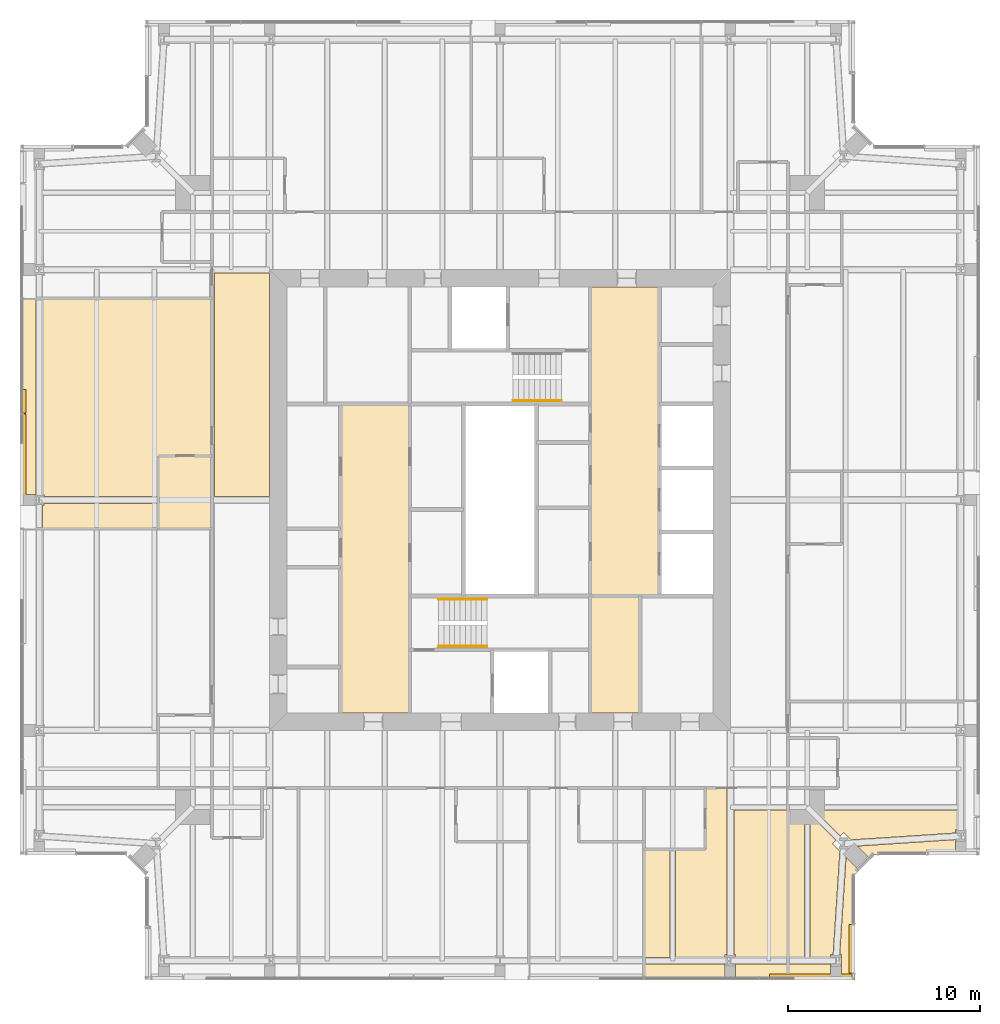
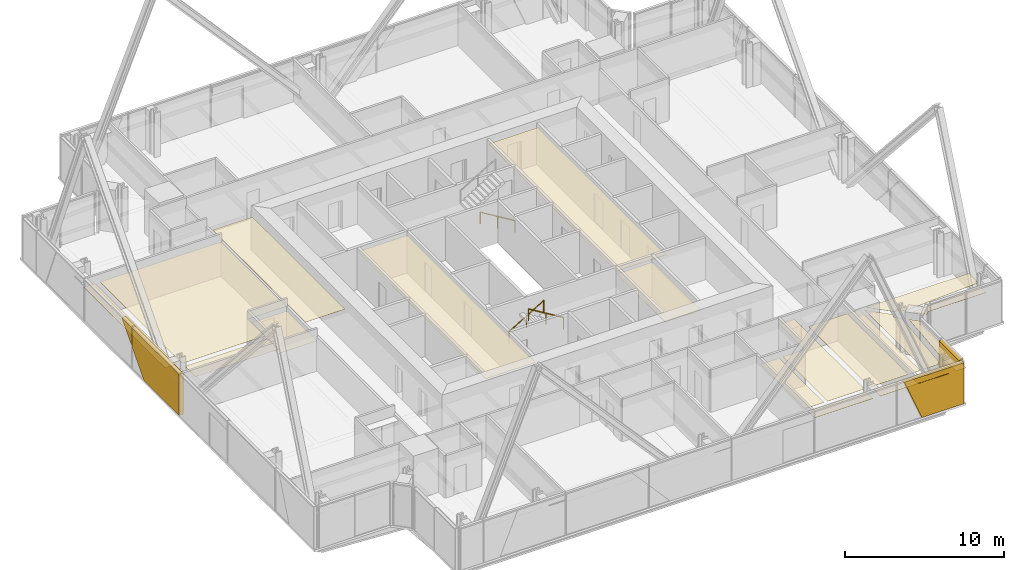
# One storey, part 16 of 19: 23 coverings, 3 railings.
"""IFC4 building model written with IfcOpenShell, lengths in metres."""

from ifc_helpers import new_model, si_unit, direction, frame, origin, origin_2d, place, context, subcontext, project, spatial, polyline, circle, outline, extrude, material, layer, layer_set, type_object, element, save


model = new_model("IFC4")

# Units and contexts
model_context = context("Model", 3, precision=1e-05, world=origin(), true_north=direction((0.0, 1.0)))
body_context = subcontext(model_context, "Body", "Model", "MODEL_VIEW")
ifc_project = project(units=[si_unit("LENGTHUNIT", "METRE"), si_unit("AREAUNIT", "SQUARE_METRE"), si_unit("VOLUMEUNIT", "CUBIC_METRE"), si_unit("PLANEANGLEUNIT", "RADIAN"), si_unit("MASSUNIT", "GRAM", prefix="KILO")], contexts=[model_context])

# Site, building, storey
site_placement = place(None, origin())
site = spatial("IfcSite", under=ifc_project, at=site_placement, CompositionType="ELEMENT")
building_placement = place(site_placement, origin())
building = spatial("IfcBuilding", under=site, at=building_placement, Name="Fenwick Lantern Interchange", CompositionType="ELEMENT")
storey_placement = place(building_placement, frame((0.0, 0.0, 283.199951171875)))
storey = spatial("IfcBuildingStorey", under=building, at=storey_placement, Name="L68", CompositionType="ELEMENT", Elevation=283.199951171875)

# Coverings
ifc_material_1 = material(Name="Granite cladding, warm grey flamed finish, on aluminium carrier frame", Category="masonry")
ifc_layer_1 = layer(ifc_material_1, 0.300048828125)
ifc_layer_set_1 = layer_set([ifc_layer_1], Name="BRACE CASING PANEL 300")
covering_type_1 = type_object("IfcCoveringType", Name="BRACE CASING PANEL 300", PredefinedType="CLADDING", material=ifc_layer_set_1)
covering_1_placement = place(storey_placement, frame((6.60009765625, 0.10009765625, 0.0), z_axis=(0.0, 0.0, 1.0), x_axis=(1.0, 0.0, 0.0)))
element("IfcCovering", 1, at=covering_1_placement, inside=storey, type_object=covering_type_1, Name="Brace casing 01 bay 06a", PredefinedType="CLADDING", context=body_context, shape_type="SweptSolid", body=[
    extrude(outline(polyline([(33.708984375, 0.0), (36.739990234375, 0.0), (36.739990234375, 3.150146484375), (32.424072265625, 3.150146484375), (33.708984375, 0.0)])), frame((0.0, 0.2099609375, 0.0), z_axis=(0.0, -1.0, 0.0), x_axis=(1.0, 0.0, 0.0)), (0.0, 0.0, 1.0), 0.300048828125),
])
covering_2_placement = place(storey_placement, frame((43.39990234375, 0.10009765625, 0.0), z_axis=(0.0, 0.0, 1.0), x_axis=(0.0, 1.0, 0.0)))
element("IfcCovering", 2, at=covering_2_placement, inside=storey, type_object=covering_type_1, Name="Brace casing 02 bay 00a", PredefinedType="CLADDING", context=body_context, shape_type="SweptSolid", body=[
    extrude(outline(polyline([(0.260009765625, 0.0), (2.790771484375, 0.0), (2.790771484375, 3.150146484375), (0.260009765625, 3.150146484375), (0.260009765625, 0.0)])), frame((0.0, 0.2099609375, 0.0), z_axis=(0.0, -1.0, 0.0), x_axis=(1.0, 0.0, 0.0)), (0.0, 0.0, 1.0), 0.300048828125),
])
covering_3_placement = place(storey_placement, frame((0.10009765625, 43.39990234375, 1.77685546875), z_axis=(0.0, 0.0, 1.0), x_axis=(0.0, -1.0, 0.0)))
element("IfcCovering", 3, at=covering_3_placement, inside=storey, type_object=covering_type_1, Name="Brace casing 13 bay 02a", PredefinedType="CLADDING", context=body_context, shape_type="SweptSolid", body=[
    extrude(outline(polyline([(13.8701171875, 0.0), (13.8701171875, 1.373291015625), (12.648193359375, 1.373291015625), (13.8701171875, 0.0)])), frame((0.0, 0.2099609375, 0.0), z_axis=(0.0, -1.0, 0.0), x_axis=(1.0, 0.0, 0.0)), (0.0, 0.0, 1.0), 0.300048828125),
])
covering_4_placement = place(storey_placement, frame((0.10009765625, 43.39990234375, 0.0), z_axis=(0.0, 0.0, 1.0), x_axis=(0.0, -1.0, 0.0)))
element("IfcCovering", 4, at=covering_4_placement, inside=storey, type_object=covering_type_1, Name="Brace casing 13 bay 03a", PredefinedType="CLADDING", context=body_context, shape_type="SweptSolid", body=[
    extrude(outline(polyline([(15.451171875, 0.0), (19.8701171875, 0.0), (19.8701171875, 3.150146484375), (13.929931640625, 3.150146484375), (13.929931640625, 1.70947265625), (15.451171875, 0.0)])), frame((0.0, 0.2099609375, 0.0), z_axis=(0.0, -1.0, 0.0), x_axis=(1.0, 0.0, 0.0)), (0.0, 0.0, 1.0), 0.300048828125),
])

# Railings
ifc_material_2 = material(Name="Stainless steel handrail", Category="steel")
railing_type = type_object("IfcRailingType", Name="HANDRAIL 900", PredefinedType="HANDRAIL", material=ifc_material_2)
railing_1_placement = place(storey_placement, frame((21.800048828125, 19.825927734375, 0.170166015625)))
element("IfcRailing", 5, at=railing_1_placement, inside=storey, type_object=railing_type, Name="L68/STAIR/ST1/HR1", PredefinedType="HANDRAIL", context=body_context, shape_type="SweptSolid", body=[
    extrude(circle(Radius=0.02392578125, at=origin_2d()), frame((0.0, 0.0, 0.8759765625), z_axis=(0.854821627497, 0.0, 0.518921945155), x_axis=(0.0, 1.0, 0.0)), (0.0, 0.0, 1.0), 2.947998046875),
    extrude(circle(Radius=0.02099609375, at=origin_2d()), origin(), (0.0, 0.0, 1.0), 0.851806640625),
    extrude(circle(Radius=0.02099609375, at=origin_2d()), frame((1.260009765625, 0.0, 0.764892578125)), (0.0, 0.0, 1.0), 0.851806640625),
    extrude(circle(Radius=0.02099609375, at=origin_2d()), frame((2.52001953125, 0.0, 1.52978515625)), (0.0, 0.0, 1.0), 0.851806640625),
])
railing_2_placement = place(storey_placement, frame((24.320068359375, 17.3740234375, 1.8701171875)))
element("IfcRailing", 6, at=railing_2_placement, inside=storey, type_object=railing_type, Name="L68/STAIR/ST1/HR2", PredefinedType="HANDRAIL", context=body_context, shape_type="SweptSolid", body=[
    extrude(circle(Radius=0.02392578125, at=origin_2d()), frame((0.0, 0.0, 0.8759765625), z_axis=(-0.85478489116, 0.0, 0.518982456201), x_axis=(0.0, -1.0, 0.0)), (0.0, 0.0, 1.0), 2.9482421875),
    extrude(circle(Radius=0.02099609375, at=origin_2d()), origin(), (0.0, 0.0, 1.0), 0.851806640625),
    extrude(circle(Radius=0.02099609375, at=origin_2d()), frame((-1.260009765625, 0.0, 0.76513671875)), (0.0, 0.0, 1.0), 0.851806640625),
    extrude(circle(Radius=0.02099609375, at=origin_2d()), frame((-2.52001953125, 0.0, 1.530029296875)), (0.0, 0.0, 1.0), 0.851806640625),
])
railing_3_placement = place(storey_placement, frame((28.199951171875, 30.174072265625, 0.170166015625)))
element("IfcRailing", 7, at=railing_3_placement, inside=storey, type_object=railing_type, Name="L68/STAIR/ST2/HR1", PredefinedType="HANDRAIL", context=body_context, shape_type="SweptSolid", body=[
    extrude(circle(Radius=0.02392578125, at=origin_2d()), frame((0.0, 0.0, 0.8759765625), z_axis=(-0.854821627497, 0.0, 0.518921945155), x_axis=(0.0, -1.0, 0.0)), (0.0, 0.0, 1.0), 2.947998046875),
    extrude(circle(Radius=0.02099609375, at=origin_2d()), origin(), (0.0, 0.0, 1.0), 0.851806640625),
    extrude(circle(Radius=0.02099609375, at=origin_2d()), frame((-1.260009765625, 0.0, 0.764892578125)), (0.0, 0.0, 1.0), 0.851806640625),
    extrude(circle(Radius=0.02099609375, at=origin_2d()), frame((-2.52001953125, 0.0, 1.52978515625)), (0.0, 0.0, 1.0), 0.851806640625),
])

# Coverings
ifc_material_3 = material(Name="Moisture resistant gypsum board on suspended frame, painted")
ifc_layer_2 = layer(ifc_material_3, 0.014892578125)
ifc_layer_set_2 = layer_set([ifc_layer_2], Name="MOISTURE RESISTANT CEILING 15")
covering_type_2 = type_object("IfcCoveringType", Name="MOISTURE RESISTANT CEILING 15", PredefinedType="CEILING", material=ifc_layer_set_2)
covering_5_placement = place(storey_placement, frame((0.0, 0.0, 2.60009765625)))
element("IfcCovering", 8, at=covering_5_placement, inside=storey, type_object=covering_type_2, Name="Men's WC ceiling", PredefinedType="CEILING", context=body_context, shape_type="SweptSolid", body=[
    extrude(outline(polyline([(29.699951171875, 13.89990234375), (32.300048828125, 13.89990234375), (32.300048828125, 20.0), (29.699951171875, 20.0), (29.699951171875, 13.89990234375)])), origin(), (0.0, 0.0, 1.0), 0.014892578125),
])
covering_6_placement = place(storey_placement, frame((0.0, 0.0, 2.235107421875)))
element("IfcCovering", 9, at=covering_6_placement, inside=storey, type_object=covering_type_2, Name="En-suite 6812 ceiling", PredefinedType="CEILING", context=body_context, shape_type="SweptSolid", body=[
    extrude(outline(polyline([(7.199951171875, 27.300048828125), (7.199951171875, 23.5), (10.0, 23.5), (10.0, 27.300048828125), (7.199951171875, 27.300048828125)])), origin(), (0.0, 0.0, 1.0), 0.014892578125),
])
ifc_material_4 = material(Name="Gypsum plasterboard on suspended frame, painted")
ifc_layer_3 = layer(ifc_material_4, 0.014892578125)
ifc_layer_set_3 = layer_set([ifc_layer_3], Name="PLASTERBOARD CEILING 15")
covering_type_3 = type_object("IfcCoveringType", Name="PLASTERBOARD CEILING 15", PredefinedType="CEILING", material=ifc_layer_set_3)
covering_7_placement = place(storey_placement, frame((0.0, 0.0, 2.800048828125)))
element("IfcCovering", 10, at=covering_7_placement, inside=storey, type_object=covering_type_3, Name="Lift lobby ceiling", PredefinedType="CEILING", context=body_context, shape_type="SweptSolid", body=[
    extrude(outline(polyline([(16.699951171875, 13.89990234375), (20.300048828125, 13.89990234375), (20.300048828125, 30.0), (16.699951171875, 30.0), (16.699951171875, 13.89990234375)])), origin(), (0.0, 0.0, 1.0), 0.014892578125),
])
covering_8_placement = place(storey_placement, frame((0.0, 0.0, 2.800048828125)))
element("IfcCovering", 11, at=covering_8_placement, inside=storey, type_object=covering_type_3, Name="Lift lobby ceiling", PredefinedType="CEILING", context=body_context, shape_type="SweptSolid", body=[
    extrude(outline(polyline([(33.300048828125, 36.10009765625), (29.699951171875, 36.10009765625), (29.699951171875, 20.0), (33.300048828125, 20.0), (33.300048828125, 36.10009765625)])), origin(), (0.0, 0.0, 1.0), 0.014892578125),
])
covering_9_placement = place(storey_placement, frame((0.0, 0.0, 2.60009765625)))
element("IfcCovering", 12, at=covering_9_placement, inside=storey, type_object=covering_type_3, Name="Corridor ceiling", PredefinedType="CEILING", context=body_context, shape_type="SweptSolid", body=[
    extrude(outline(polyline([(13.0, 25.175048828125), (13.0, 36.833984375), (10.134521484375, 36.833984375), (10.134521484375, 25.175048828125), (13.0, 25.175048828125)])), origin(), (0.0, 0.0, 1.0), 0.014892578125),
])
covering_10_placement = place(storey_placement, frame((0.0, 0.0, 2.699951171875)))
element("IfcCovering", 13, at=covering_10_placement, inside=storey, type_object=covering_type_3, Name="Guest room 6804 ceiling", PredefinedType="CEILING", context=body_context, shape_type="SweptSolid", body=[
    extrude(outline(polyline([(37.27099609375, 1.3154296875), (37.27099609375, 1.17236328125), (40.0, 1.17236328125), (40.0, 8.865478515625), (37.183837890625, 8.865478515625), (37.183837890625, 1.3154296875), (37.27099609375, 1.3154296875)])), origin(), (0.0, 0.0, 1.0), 0.01513671875),
])
covering_11_placement = place(storey_placement, frame((0.0, 0.0, 2.699951171875)))
element("IfcCovering", 14, at=covering_11_placement, inside=storey, type_object=covering_type_3, Name="Guest room 6804 ceiling", PredefinedType="CEILING", context=body_context, shape_type="SweptSolid", body=[
    extrude(outline(polyline([(36.72900390625, 1.3154296875), (36.816162109375, 1.3154296875), (36.816162109375, 10.0), (35.699951171875, 10.0), (35.699951171875, 6.800048828125), (34.134521484375, 6.800048828125), (34.134521484375, 1.17236328125), (36.72900390625, 1.17236328125), (36.72900390625, 1.3154296875)])), origin(), (0.0, 0.0, 1.0), 0.01513671875),
])
covering_12_placement = place(storey_placement, frame((0.0, 0.0, 2.699951171875)))
element("IfcCovering", 15, at=covering_12_placement, inside=storey, type_object=covering_type_3, Name="Guest room 6804 ceiling", PredefinedType="CEILING", context=body_context, shape_type="SweptSolid", body=[
    extrude(outline(polyline([(32.5, 6.800048828125), (32.5, 1.17236328125), (33.865478515625, 1.17236328125), (33.865478515625, 6.800048828125), (32.5, 6.800048828125)])), origin(), (0.0, 0.0, 1.0), 0.01513671875),
])
covering_13_placement = place(storey_placement, frame((0.0, 0.0, 2.699951171875)))
element("IfcCovering", 16, at=covering_13_placement, inside=storey, type_object=covering_type_3, Name="Guest room 6804 ceiling", PredefinedType="CEILING", context=body_context, shape_type="SweptSolid", body=[
    extrude(outline(polyline([(36.72900390625, 0.0), (36.72900390625, 0.82763671875), (32.5, 0.82763671875), (32.5, 0.0), (36.72900390625, 0.0)])), origin(), (0.0, 0.0, 1.0), 0.01513671875),
])
covering_14_placement = place(storey_placement, frame((0.0, 0.0, 2.699951171875)))
element("IfcCovering", 17, at=covering_14_placement, inside=storey, type_object=covering_type_3, Name="Guest room 6804 ceiling", PredefinedType="CEILING", context=body_context, shape_type="SweptSolid", body=[
    extrude(outline(polyline([(37.27099609375, 0.0), (40.0, 0.0), (40.0, 0.82763671875), (37.27099609375, 0.82763671875), (37.27099609375, 0.0)])), origin(), (0.0, 0.0, 1.0), 0.01513671875),
])
covering_15_placement = place(storey_placement, frame((0.0, 0.0, 2.699951171875)))
element("IfcCovering", 18, at=covering_15_placement, inside=storey, type_object=covering_type_3, Name="Guest suite 6805 ceiling", PredefinedType="CEILING", context=body_context, shape_type="SweptSolid", body=[
    extrude(outline(polyline([(48.72265625, 7.83447265625), (48.82763671875, 7.83447265625), (48.82763671875, 8.865478515625), (41.351318359375, 8.865478515625), (42.71728515625, 7.499755859375), (42.89990234375, 7.6826171875), (43.284423828125, 7.298095703125), (48.72265625, 7.654541015625), (48.72265625, 7.83447265625)])), origin(), (0.0, 0.0, 1.0), 0.01513671875),
])
covering_16_placement = place(storey_placement, frame((0.0, 0.0, 2.699951171875)))
element("IfcCovering", 19, at=covering_16_placement, inside=storey, type_object=covering_type_3, Name="Guest suite 6805 ceiling", PredefinedType="CEILING", context=body_context, shape_type="SweptSolid", body=[
    extrude(outline(polyline([(42.22265625, 1.33447265625), (42.34912109375, 1.33447265625), (42.701904296875, 6.715576171875), (42.3173828125, 7.10009765625), (42.500244140625, 7.28271484375), (41.134521484375, 8.648681640625), (41.134521484375, 1.17236328125), (42.22265625, 1.17236328125), (42.22265625, 1.33447265625)])), origin(), (0.0, 0.0, 1.0), 0.01513671875),
])
covering_17_placement = place(storey_placement, frame((0.0, 0.0, 2.699951171875)))
element("IfcCovering", 20, at=covering_17_placement, inside=storey, type_object=covering_type_3, Name="Guest suite 6805 ceiling", PredefinedType="CEILING", context=body_context, shape_type="SweptSolid", body=[
    extrude(outline(polyline([(40.0, 8.865478515625), (40.0, 1.17236328125), (40.865478515625, 1.17236328125), (40.865478515625, 8.865478515625), (40.0, 8.865478515625)])), origin(), (0.0, 0.0, 1.0), 0.01513671875),
])
covering_18_placement = place(storey_placement, frame((0.0, 0.0, 2.699951171875)))
element("IfcCovering", 21, at=covering_18_placement, inside=storey, type_object=covering_type_3, Name="Guest suite 6805 ceiling", PredefinedType="CEILING", context=body_context, shape_type="SweptSolid", body=[
    extrude(outline(polyline([(42.69482421875, 1.33447265625), (42.77734375, 1.33447265625), (42.77734375, 0.0), (43.5, 0.0), (43.5, 5.5), (43.708740234375, 5.708740234375), (43.0263671875, 6.39111328125), (42.69482421875, 1.33447265625)])), origin(), (0.0, 0.0, 1.0), 0.01513671875),
])
covering_19_placement = place(storey_placement, frame((0.0, 0.0, 2.699951171875)))
element("IfcCovering", 22, at=covering_19_placement, inside=storey, type_object=covering_type_3, Name="Guest suite 6805 ceiling", PredefinedType="CEILING", context=body_context, shape_type="SweptSolid", body=[
    extrude(outline(polyline([(48.72265625, 6.5), (48.72265625, 7.30908203125), (43.60888671875, 6.9736328125), (44.291259765625, 6.291259765625), (44.5, 6.5), (48.72265625, 6.5)])), origin(), (0.0, 0.0, 1.0), 0.01513671875),
])
covering_20_placement = place(storey_placement, frame((0.0, 0.0, 2.699951171875)))
element("IfcCovering", 23, at=covering_20_placement, inside=storey, type_object=covering_type_3, Name="Guest suite 6805 ceiling", PredefinedType="CEILING", context=body_context, shape_type="SweptSolid", body=[
    extrude(outline(polyline([(42.22265625, 0.0), (42.22265625, 0.82763671875), (40.0, 0.82763671875), (40.0, 0.0), (42.22265625, 0.0)])), origin(), (0.0, 0.0, 1.0), 0.01513671875),
])
covering_21_placement = place(storey_placement, frame((0.0, 0.0, 2.572998046875)))
element("IfcCovering", 24, at=covering_21_placement, inside=storey, type_object=covering_type_3, Name="Guest suite 6812 ceiling", PredefinedType="CEILING", context=body_context, shape_type="SweptSolid", body=[
    extrude(outline(polyline([(1.26220703125, 25.28759765625), (1.26220703125, 25.175048828125), (7.199951171875, 25.175048828125), (7.199951171875, 27.300048828125), (10.0, 27.300048828125), (10.0, 35.5), (1.17236328125, 35.5), (1.17236328125, 25.28759765625), (1.26220703125, 25.28759765625)])), origin(), (0.0, 0.0, 1.0), 0.014892578125),
])
covering_22_placement = place(storey_placement, frame((0.0, 0.0, 2.572998046875)))
element("IfcCovering", 25, at=covering_22_placement, inside=storey, type_object=covering_type_3, Name="Guest suite 6812 ceiling", PredefinedType="CEILING", context=body_context, shape_type="SweptSolid", body=[
    extrude(outline(polyline([(0.0, 25.28759765625), (0.82763671875, 25.28759765625), (0.82763671875, 35.5), (0.0, 35.5), (0.0, 25.28759765625)])), origin(), (0.0, 0.0, 1.0), 0.014892578125),
])
covering_23_placement = place(storey_placement, frame((0.0, 0.0, 2.572998046875)))
element("IfcCovering", 26, at=covering_23_placement, inside=storey, type_object=covering_type_3, Name="Guest suite 6812 ceiling", PredefinedType="CEILING", context=body_context, shape_type="SweptSolid", body=[
    extrude(outline(polyline([(1.26220703125, 24.71240234375), (1.17236328125, 24.71240234375), (1.17236328125, 23.5), (7.199951171875, 23.5), (7.199951171875, 24.824951171875), (1.26220703125, 24.824951171875), (1.26220703125, 24.71240234375)])), origin(), (0.0, 0.0, 1.0), 0.014892578125),
])

save(model, "model.ifc")
